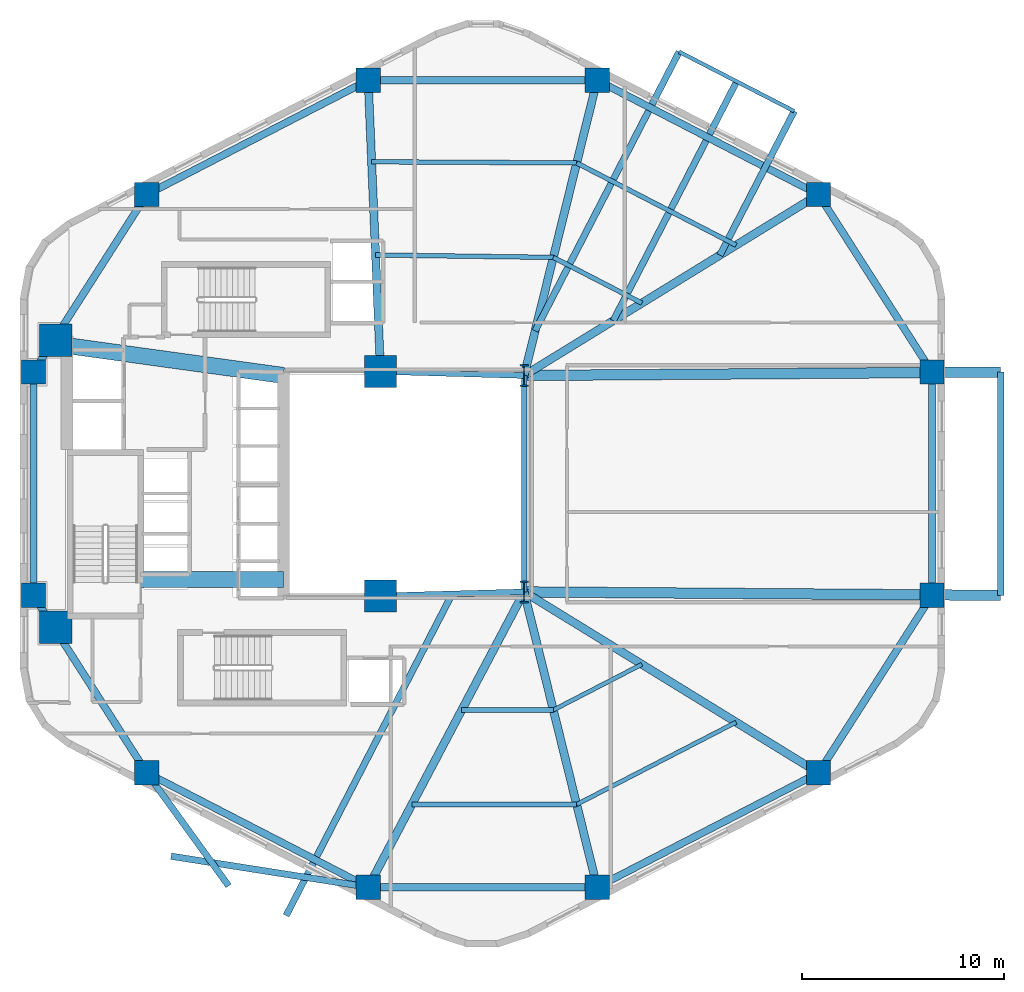
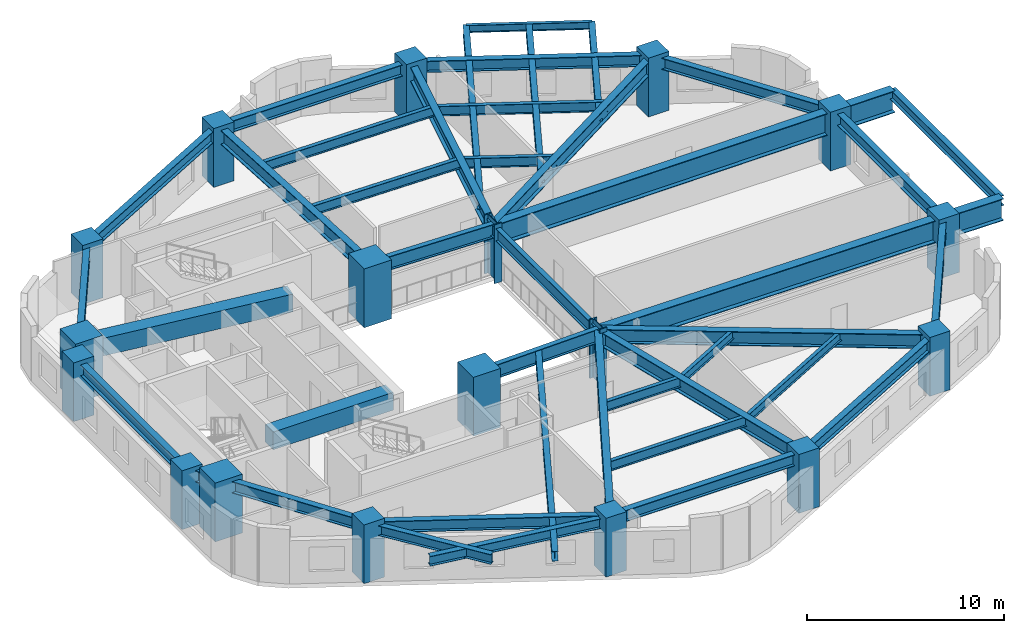
# One storey, part 1 of 6: 41 beams, 18 columns.
"""IFC4 building model written with IfcOpenShell, lengths in metres."""

import ifcopenshell
import ifcopenshell.guid

model = None  # the IFC model being written
_history = None  # IfcOwnerHistory: only IFC2X3 demands one
_inside = {}  # id of a spatial element -> (the spatial element, [elements in it])
_under = {}  # id of a project, library or spatial element -> (it, [spatial elements below it])
_declared = {}  # id of a project -> (the project, [libraries it declares])
_typed = {}  # id of a type object -> (the type object, [elements of that type])
_made_of = {}  # id of a material, layer set ... -> (it, [elements and type objects made of it])


def new_model(schema):
    """Start an empty IFC model of exactly this schema.

    Asked for "IFC4X3", IfcOpenShell would pick the latest addendum, in which some entities
    have other attributes; the version numbers below select the first issue.
    IFC2X3 requires an IfcOwnerHistory on every rooted entity: one is made here for all.
    """
    global model, _history
    if schema == "IFC4X3":
        model = ifcopenshell.file(schema_version=(4, 3, 0, 0))
    else:
        model = ifcopenshell.file(schema=schema)
    _inside.clear()
    _under.clear()
    _declared.clear()
    _typed.clear()
    _made_of.clear()
    _history = None
    if model.schema == "IFC2X3":
        org = make("IfcOrganization", Name="unknown")
        user = make(
            "IfcPersonAndOrganization",
            ThePerson=make("IfcPerson", FamilyName="unknown"),
            TheOrganization=org,
        )
        app = make(
            "IfcApplication",
            ApplicationDeveloper=org,
            Version="unknown",
            ApplicationFullName="unknown",
            ApplicationIdentifier="unknown",
        )
        _history = make(
            "IfcOwnerHistory",
            OwningUser=user,
            OwningApplication=app,
            ChangeAction="ADDED",
            CreationDate=0,
        )
    return model


def make(cls, **values):
    """One entity of the class cls with the attributes given. An attribute that is None is left unset."""
    return model.create_entity(
        cls, **{name: value for name, value in values.items() if value is not None}
    )


def rooted(cls, **values):
    """An entity with a GlobalId (a new one), such as an element, a storey or a relation."""
    return make(cls, GlobalId=ifcopenshell.guid.new(), OwnerHistory=_history, **values)


def si_unit(unit_type, name, prefix=None):
    """IfcSIUnit, for example si_unit("LENGTHUNIT", "METRE", prefix="MILLI")."""
    return make("IfcSIUnit", UnitType=unit_type, Prefix=prefix, Name=name)


def assignment(units):
    """IfcUnitAssignment: the units of a project."""
    return None if units is None else make("IfcUnitAssignment", Units=units)


def point(xyz):
    """IfcCartesianPoint."""
    return None if xyz is None else make("IfcCartesianPoint", Coordinates=xyz)


def direction(xyz):
    """IfcDirection."""
    return None if xyz is None else make("IfcDirection", DirectionRatios=xyz)


def frame(location, z_axis=None, x_axis=None):
    """IfcAxis2Placement3D, a coordinate frame: its origin and axes. An axis left out is left unset."""
    return make(
        "IfcAxis2Placement3D",
        Location=point(location),
        Axis=direction(z_axis),
        RefDirection=direction(x_axis),
    )


def frame_2d(location, x_axis=None):
    """IfcAxis2Placement2D, a coordinate frame in the plane: its origin and x axis."""
    return make(
        "IfcAxis2Placement2D", Location=point(location), RefDirection=direction(x_axis)
    )


def origin():
    """The frame at (0, 0, 0) with its axes left unset."""
    return frame((0.0, 0.0, 0.0))


def origin_2d():
    """The frame at (0, 0) in the plane with its x axis left unset."""
    return frame_2d((0.0, 0.0))


def place(relative_to, where):
    """IfcLocalPlacement: puts the frame where relative to a parent placement (None: the world)."""
    return make(
        "IfcLocalPlacement", PlacementRelTo=relative_to, RelativePlacement=where
    )


def context(
    kind, dimensions, precision=None, world=None, true_north=None, identifier=None
):
    """IfcGeometricRepresentationContext, for example the 3D "Model" context."""
    return make(
        "IfcGeometricRepresentationContext",
        ContextIdentifier=identifier,
        ContextType=kind,
        CoordinateSpaceDimension=dimensions,
        Precision=precision,
        WorldCoordinateSystem=world,
        TrueNorth=true_north,
    )


def subcontext(parent, identifier, kind, view, scale=None):
    """IfcGeometricRepresentationSubContext, for example "Body" below "Model"."""
    return make(
        "IfcGeometricRepresentationSubContext",
        ContextIdentifier=identifier,
        ContextType=kind,
        ParentContext=parent,
        TargetScale=scale,
        TargetView=view,
    )


def project(units=None, contexts=None):
    """IfcProject with its units and contexts."""
    return rooted(
        "IfcProject",
        Name="project",
        RepresentationContexts=contexts,
        UnitsInContext=assignment(units),
    )


def spatial(cls, under=None, at=None, **own):
    """A site, building, storey or space (cls), placed at a placement, below another one or the project."""
    s = rooted(cls, ObjectPlacement=at, **own)
    if under is not None:
        _under.setdefault(under.id(), (under, []))[1].append(s)
    return s


def profile(cls, at=None, kind="AREA", **sizes):
    """A parametric profile (cls). Its sizes go by their IFC names, for example OverallWidth=200.0."""
    return make(cls, ProfileType=kind, Position=at, **sizes)


def rectangle(**sizes):
    """IfcRectangleProfileDef."""
    return profile("IfcRectangleProfileDef", **sizes)


def i_section(**sizes):
    """IfcIShapeProfileDef."""
    return profile("IfcIShapeProfileDef", **sizes)


def extrude(swept, where, along, depth):
    """IfcExtrudedAreaSolid: the profile swept, set in the frame where, extruded along a direction by depth."""
    return make(
        "IfcExtrudedAreaSolid",
        SweptArea=swept,
        Position=where,
        ExtrudedDirection=direction(along),
        Depth=depth,
    )


def shape(context_of_items, identifier, shape_type, items):
    """IfcShapeRepresentation: the items that make up one representation, for example the "Body"."""
    return make(
        "IfcShapeRepresentation",
        ContextOfItems=context_of_items,
        RepresentationIdentifier=identifier,
        RepresentationType=shape_type,
        Items=items,
    )


def material(Name=None, Category=None):
    """IfcMaterial."""
    return make("IfcMaterial", Name=Name, Category=Category)


def material_profile(
    of_material, cross_section, Name=None, Category=None, Priority=None
):
    """IfcMaterialProfile: a cross section and its material."""
    return make(
        "IfcMaterialProfile",
        Name=Name,
        Material=of_material,
        Profile=cross_section,
        Priority=Priority,
        Category=Category,
    )


def profile_set(profiles, Name=None, composite=None):
    """IfcMaterialProfileSet."""
    return make(
        "IfcMaterialProfileSet",
        Name=Name,
        MaterialProfiles=profiles,
        CompositeProfile=composite,
    )


def made_of(thing, what):
    """Note that an element or type object is made of a material, layer set ...; save() writes the relation."""
    if what is not None:
        _made_of.setdefault(what.id(), (what, []))[1].append(thing)
    return thing


def type_object(cls, material=None, **own):
    """A type object (cls), such as IfcWallType, which elements share."""
    return made_of(rooted(cls, **own), material)


def element(
    cls,
    number,
    at=None,
    inside=None,
    cuts=None,
    type_object=None,
    material=None,
    context=None,
    identifier="Body",
    shape_type=None,
    held_by="IfcProductDefinitionShape",
    body=None,
    shapes=None,
    **own,
):
    """One element of the class cls, such as IfcWall. Its Tag is "e" and its number.

    at: its placement. inside: the storey or other place that contains it. cuts: it is an
    opening in that element (IfcRelVoidsElement). A single representation is given by context,
    identifier, shape_type and body (its items); several are given by shapes. held_by: the class
    of the entity that holds the representations. save() writes the other relations.
    """
    e = rooted(cls, Tag="e%d" % number, ObjectPlacement=at, **own)
    if body is not None:
        shapes = [shape(context, identifier, shape_type, body)]
    if shapes is not None:
        e.Representation = make(held_by, Representations=shapes)
    if inside is not None:
        _inside.setdefault(inside.id(), (inside, []))[1].append(e)
    if cuts is not None:
        rooted(
            "IfcRelVoidsElement", RelatingBuildingElement=cuts, RelatedOpeningElement=e
        )
    if type_object is not None:
        _typed.setdefault(type_object.id(), (type_object, []))[1].append(e)
    return made_of(e, material)


def aggregate(whole, parts):
    """IfcRelAggregates: a whole, such as a stair, and the parts it consists of."""
    return rooted("IfcRelAggregates", RelatingObject=whole, RelatedObjects=parts)


def save(model, path):
    """Write the relations noted so far, then the file.

    IfcRelAggregates (storeys below a building ...), IfcRelContainedInSpatialStructure (elements
    in a storey), IfcRelDefinesByType, IfcRelAssociatesMaterial and IfcRelDeclares: one each for
    every whole, place, type object, material and project.
    """
    for whole, parts in _under.values():
        aggregate(whole, parts)
    for where, things in _inside.values():
        rooted(
            "IfcRelContainedInSpatialStructure",
            RelatedElements=things,
            RelatingStructure=where,
        )
    for kind, things in _typed.values():
        rooted("IfcRelDefinesByType", RelatedObjects=things, RelatingType=kind)
    for what, things in _made_of.values():
        rooted("IfcRelAssociatesMaterial", RelatedObjects=things, RelatingMaterial=what)
    for by, libraries in _declared.values():
        rooted("IfcRelDeclares", RelatingContext=by, RelatedDefinitions=libraries)
    model.write(path)


model = new_model("IFC4")

# Units and contexts
model_context = context("Model", 3, precision=1e-05, world=origin(), true_north=direction((0.0, 1.0)))
body_context = subcontext(model_context, "Body", "Model", "MODEL_VIEW")
ifc_project = project(units=[si_unit("LENGTHUNIT", "METRE"), si_unit("AREAUNIT", "SQUARE_METRE"), si_unit("VOLUMEUNIT", "CUBIC_METRE"), si_unit("PLANEANGLEUNIT", "RADIAN"), si_unit("MASSUNIT", "GRAM", prefix="KILO"), si_unit("THERMODYNAMICTEMPERATUREUNIT", "KELVIN"), si_unit("POWERUNIT", "WATT")], contexts=[model_context])

# Site, building, storey
site_placement = place(None, origin())
site = spatial("IfcSite", under=ifc_project, at=site_placement, CompositionType="ELEMENT")
building_placement = place(site_placement, origin())
building = spatial("IfcBuilding", under=site, at=building_placement, Name="Skarre Station Tower", CompositionType="ELEMENT")
storey_placement = place(building_placement, frame((0.0, 0.0, 34.300048828125)))
storey = spatial("IfcBuildingStorey", under=building, at=storey_placement, Name="L08", CompositionType="ELEMENT", Elevation=34.300048828125)

# Columns
ifc_material_1 = material(Name="Concrete C60/75", Category="concrete")
ifc_material_profile_1 = material_profile(ifc_material_1, rectangle(XDim=1.199951171875, YDim=1.199951171875, at=origin_2d()), Name="Concrete C60/75")
ifc_profile_set_1 = profile_set([ifc_material_profile_1], Name="Concrete C60/75")
column_type_1 = type_object("IfcColumnType", Name="RC Structural Column RC-COL-1200X1200", PredefinedType="COLUMN", material=ifc_profile_set_1)
for number, where, z_axis, x_axis, name in (
    (1, (54.007080078125, 38.298095703125, 0.0), (0.0, 0.0, 1.0), (1.0, 0.0, 0.0), "L08 Zone 1 Perimeter Column F0C1"),
    (2, (43.06005859375, 43.947021484375, 0.0), (0.0, 0.0, 1.0), (1.0, 0.0, 0.0), "L08 Zone 1 Perimeter Column F0C2"),
    (3, (31.739990234375, 43.947021484375, 0.0), (0.0, 0.0, 1.0), (1.0, 0.0, 0.0), "L08 Zone 1 Perimeter Column F1C1"),
    (4, (20.79296875, 38.298095703125, 0.0), (0.0, 0.0, 1.0), (1.0, 0.0, 0.0), "L08 Zone 1 Perimeter Column F1C2"),
    (5, (15.18701171875, 29.52099609375, 0.0), (0.0, 0.0, 1.0), (1.0, 0.0, 0.0), "L08 Zone 1 Perimeter Column F2C1"),
    (6, (15.18701171875, 18.47900390625, 0.0), (0.0, 0.0, 1.0), (1.0, 0.0, 0.0), "L08 Zone 1 Perimeter Column F2C2"),
    (7, (20.79296875, 9.701904296875, 0.0), (0.0, 0.0, 1.0), (1.0, 0.0, 0.0), "L08 Zone 1 Perimeter Column F3C1"),
    (8, (31.739990234375, 4.052978515625, 0.0), (0.0, 0.0, 1.0), (1.0, 0.0, 0.0), "L08 Zone 1 Perimeter Column F3C2"),
    (9, (43.06005859375, 4.052978515625, 0.0), (0.0, 0.0, 1.0), (1.0, 0.0, 0.0), "L08 Zone 1 Perimeter Column F4C1"),
    (10, (54.007080078125, 9.701904296875, 0.0), (0.0, 0.0, 1.0), (1.0, 0.0, 0.0), "L08 Zone 1 Perimeter Column F4C2"),
    (11, (59.613037109375, 18.47900390625, 0.0), (0.0, 0.0, 1.0), (1.0, 0.0, 0.0), "L08 Zone 1 Perimeter Column F5C1"),
    (12, (59.613037109375, 29.52099609375, 0.0), (0.0, 0.0, 1.0), (1.0, 0.0, 0.0), "L08 Zone 1 Perimeter Column F5C2"),
):
    element("IfcColumn", number, at=place(storey_placement, frame(where, z_axis=z_axis, x_axis=x_axis)), inside=storey, type_object=column_type_1, Name=name, PredefinedType="COLUMN", context=body_context, shape_type="SweptSolid", body=[
        extrude(rectangle(XDim=1.199951171875, YDim=1.199951171875, at=origin_2d()), origin(), (0.0, 0.0, 1.0), 3.64990234375),
    ])
ifc_material_2 = material(Name="Concrete C70/85", Category="concrete")
ifc_material_profile_2 = material_profile(ifc_material_2, rectangle(XDim=1.60009765625, YDim=1.60009765625, at=origin_2d()), Name="Concrete C70/85")
ifc_profile_set_2 = profile_set([ifc_material_profile_2], Name="Concrete C70/85")
column_type_2 = type_object("IfcColumnType", Name="RC Structural Column RC-COL-1600X1600", PredefinedType="COLUMN", material=ifc_profile_set_2)
for number, where, z_axis, x_axis, name in (
    (13, (16.300048828125, 16.89990234375, 0.0), (0.0, 0.0, 1.0), (1.0, 0.0, 0.0), "L08 Core Column CC-SW"),
    (14, (16.300048828125, 31.10009765625, 0.0), (0.0, 0.0, 1.0), (1.0, 0.0, 0.0), "L08 Core Column CC-NW"),
    (15, (32.35009765625, 18.449951171875, 0.0), (0.0, 0.0, 1.0), (1.0, 0.0, 0.0), "L08 Core Column CC-SE"),
    (16, (32.35009765625, 29.550048828125, 0.0), (0.0, 0.0, 1.0), (1.0, 0.0, 0.0), "L08 Core Column CC-NE"),
):
    element("IfcColumn", number, at=place(storey_placement, frame(where, z_axis=z_axis, x_axis=x_axis)), inside=storey, type_object=column_type_2, Name=name, PredefinedType="COLUMN", context=body_context, shape_type="SweptSolid", body=[
        extrude(rectangle(XDim=1.60009765625, YDim=1.60009765625, at=origin_2d()), origin(), (0.0, 0.0, 1.0), 3.64990234375),
    ])
ifc_material_3 = material(Name="Steel ASTM A913 Grade 65", Category="steel")
ifc_material_profile_3 = material_profile(ifc_material_3, i_section(OverallWidth=0.424072265625, OverallDepth=1.092041015625, WebThickness=0.044921875, FlangeThickness=0.08203125, at=origin_2d()), Name="Steel ASTM A913 Grade 65")
ifc_profile_set_3 = profile_set([ifc_material_profile_3], Name="Steel ASTM A913 Grade 65")
column_type_3 = type_object("IfcColumnType", Name="Steel Column W40X593", PredefinedType="COLUMN", material=ifc_profile_set_3)
for number, where, z_axis, x_axis, name in (
    (17, (39.449951171875, 18.64990234375, 0.0), (0.0, 0.0, 1.0), (1.0, 0.0, 0.0), "L08 Atrium Spine Column AC-SE"),
    (18, (39.449951171875, 29.35009765625, 0.0), (0.0, 0.0, 1.0), (1.0, 0.0, 0.0), "L08 Atrium Spine Column AC-NE"),
):
    element("IfcColumn", number, at=place(storey_placement, frame(where, z_axis=z_axis, x_axis=x_axis)), inside=storey, type_object=column_type_3, Name=name, PredefinedType="COLUMN", context=body_context, shape_type="SweptSolid", body=[
        extrude(i_section(OverallWidth=0.424072265625, OverallDepth=1.092041015625, WebThickness=0.044921875, FlangeThickness=0.08203125, at=origin_2d()), origin(), (0.0, 0.0, 1.0), 3.64990234375),
    ])

# Beams
ifc_material_4 = material(Name="Steel ASTM A572 Grade 50", Category="steel")
ifc_material_profile_4 = material_profile(ifc_material_4, i_section(OverallWidth=0.52001953125, OverallDepth=1.360107421875, WebThickness=0.02587890625, FlangeThickness=0.0380859375, at=origin_2d()), Name="Steel ASTM A572 Grade 50")
ifc_profile_set_4 = profile_set([ifc_material_profile_4], Name="Steel ASTM A572 Grade 50")
beam_type_1 = type_object("IfcBeamType", Name="Built-Up Plate Transfer Girder PG1360X520", PredefinedType="USERDEFINED", material=ifc_profile_set_4)
for number, where, z_axis, x_axis, name in (
    (19, (39.449951171875, 18.64990234375, 2.7099609375), (0.999973699239, -0.007252643031, 0.0), (0.007252643031, 0.999973699239, 0.0), "L08 SB-1 Exoskeleton Tier-0 Transfer Girder S1"),
    (20, (39.449951171875, 29.35009765625, 2.7099609375), (0.999973699239, 0.007252643031, 0.0), (-0.007252643031, 0.999973699239, 0.0), "L08 SB-1 Exoskeleton Tier-0 Transfer Girder S2"),
):
    element("IfcBeam", number, at=place(storey_placement, frame(where, z_axis=z_axis, x_axis=x_axis)), inside=storey, type_object=beam_type_1, Name=name, ObjectType="TRANSFER_GIRDER", PredefinedType="USERDEFINED", context=body_context, shape_type="SweptSolid", body=[
        extrude(i_section(OverallWidth=0.52001953125, OverallDepth=1.360107421875, WebThickness=0.02587890625, FlangeThickness=0.0380859375, at=origin_2d()), origin(), (0.0, 0.0, 1.0), 23.563720703125),
    ])
ifc_material_profile_5 = material_profile(ifc_material_2, rectangle(XDim=0.800048828125, YDim=1.10009765625, at=origin_2d()), Name="Concrete C70/85")
ifc_profile_set_5 = profile_set([ifc_material_profile_5], Name="Concrete C70/85")
beam_type_2 = type_object("IfcBeamType", Name="RC Core Coupling Lintel 800x1100", PredefinedType="LINTEL", material=ifc_profile_set_5)
beam_1_placement = place(storey_placement, frame((20.489990234375, 19.260009765625, 2.83984375), z_axis=(1.0, 0.0, 0.0), x_axis=(0.0, 1.0, 0.0)))
element("IfcBeam", 21, at=beam_1_placement, inside=storey, type_object=beam_type_2, Name="L08 South Core Coupling Lintel", PredefinedType="LINTEL", context=body_context, shape_type="SweptSolid", body=[
    extrude(rectangle(XDim=0.800048828125, YDim=1.10009765625, at=origin_2d()), origin(), (0.0, 0.0, 1.0), 7.06005859375),
])
beam_2_placement = place(storey_placement, frame((17.050048828125, 30.800048828125, 2.83984375), z_axis=(0.990599723633, -0.136792498109, 0.0), x_axis=(0.136792498109, 0.990599723633, 0.0)))
element("IfcBeam", 22, at=beam_2_placement, inside=storey, type_object=beam_type_2, Name="L08 North Core Coupling Lintel", PredefinedType="LINTEL", context=body_context, shape_type="SweptSolid", body=[
    extrude(rectangle(XDim=0.800048828125, YDim=1.10009765625, at=origin_2d()), origin(), (0.0, 0.0, 1.0), 10.599609375),
])
ifc_material_5 = material(Name="Steel ASTM A992 Grade 50", Category="steel")
ifc_material_profile_6 = material_profile(ifc_material_5, i_section(OverallWidth=0.323974609375, OverallDepth=0.611083984375, WebThickness=0.012939453125, FlangeThickness=0.01904296875, at=origin_2d()), Name="Steel ASTM A992 Grade 50")
ifc_profile_set_6 = profile_set([ifc_material_profile_6], Name="Steel ASTM A992 Grade 50")
beam_type_3 = type_object("IfcBeamType", Name="Steel Beam W24X104", PredefinedType="BEAM", material=ifc_profile_set_6)
beam_3_placement = place(storey_placement, frame((43.85498046875, 32.05810546875, 2.9990234375), z_axis=(0.458658805001, 0.888612458046, 0.0), x_axis=(-0.888612458046, 0.458658805001, 0.0)))
element("IfcBeam", 23, at=beam_3_placement, inside=storey, type_object=beam_type_3, Name="L08 TB-L09-F0 Center Outrigger Beam", PredefinedType="BEAM", context=body_context, shape_type="SweptSolid", body=[
    extrude(i_section(OverallWidth=0.323974609375, OverallDepth=0.611083984375, WebThickness=0.012939453125, FlangeThickness=0.01904296875, at=origin_2d()), origin(), (0.0, 0.0, 1.0), 13.310546875),
])
beam_4_placement = place(storey_placement, frame((49.1298828125, 35.300048828125, 2.9990234375), z_axis=(0.458673197801, 0.888605029031, 0.0), x_axis=(-0.888605029031, 0.458673197801, 0.0)))
element("IfcBeam", 24, at=beam_4_placement, inside=storey, type_object=beam_type_3, Name="L08 TB-L09-F0 Outrigger Beam 1", PredefinedType="BEAM", context=body_context, shape_type="SweptSolid", body=[
    extrude(i_section(OverallWidth=0.323974609375, OverallDepth=0.611083984375, WebThickness=0.012939453125, FlangeThickness=0.01904296875, at=origin_2d()), origin(), (0.0, 0.0, 1.0), 8.01025390625),
])
beam_5_placement = place(storey_placement, frame((39.99609375, 31.55810546875, 2.9990234375), z_axis=(0.45863851318, 0.88862293141, 0.0), x_axis=(-0.88862293141, 0.45863851318, 0.0)))
element("IfcBeam", 25, at=beam_5_placement, inside=storey, type_object=beam_type_3, Name="L08 TB-L09-F0 Outrigger Beam 2", PredefinedType="BEAM", context=body_context, shape_type="SweptSolid", body=[
    extrude(i_section(OverallWidth=0.323974609375, OverallDepth=0.611083984375, WebThickness=0.012939453125, FlangeThickness=0.01904296875, at=origin_2d()), origin(), (0.0, 0.0, 1.0), 15.52392578125),
])
beam_6_placement = place(storey_placement, frame((20.79296875, 9.701904296875, 2.9990234375), z_axis=(0.586645094121, -0.809844141513, 0.0), x_axis=(0.809844141513, 0.586645094121, 0.0)))
element("IfcBeam", 26, at=beam_6_placement, inside=storey, type_object=beam_type_3, Name="L08 TB-L09-F3 Center Outrigger Beam", PredefinedType="BEAM", context=body_context, shape_type="SweptSolid", body=[
    extrude(i_section(OverallWidth=0.323974609375, OverallDepth=0.611083984375, WebThickness=0.012939453125, FlangeThickness=0.01904296875, at=origin_2d()), origin(), (0.0, 0.0, 1.0), 6.898681640625),
])
beam_7_placement = place(storey_placement, frame((31.739990234375, 4.052978515625, 2.9990234375), z_axis=(-0.987910236497, 0.155026980311, 0.0), x_axis=(-0.155026980311, -0.987910236497, 0.0)))
element("IfcBeam", 27, at=beam_7_placement, inside=storey, type_object=beam_type_3, Name="L08 TB-L09-F3 Outrigger Beam 1", PredefinedType="BEAM", context=body_context, shape_type="SweptSolid", body=[
    extrude(i_section(OverallWidth=0.323974609375, OverallDepth=0.611083984375, WebThickness=0.012939453125, FlangeThickness=0.01904296875, at=origin_2d()), origin(), (0.0, 0.0, 1.0), 9.863037109375),
])
beam_8_placement = place(storey_placement, frame((35.89208984375, 18.550048828125, 2.9990234375), z_axis=(-0.458641529795, -0.88862137446, 0.0), x_axis=(0.88862137446, -0.458641529795, 0.0)))
element("IfcBeam", 28, at=beam_8_placement, inside=storey, type_object=beam_type_3, Name="L08 TB-L09-F3 Outrigger Beam 2", PredefinedType="BEAM", context=body_context, shape_type="SweptSolid", body=[
    extrude(i_section(OverallWidth=0.323974609375, OverallDepth=0.611083984375, WebThickness=0.012939453125, FlangeThickness=0.01904296875, at=origin_2d()), origin(), (0.0, 0.0, 1.0), 17.896240234375),
])
ifc_material_profile_7 = material_profile(ifc_material_5, i_section(OverallWidth=0.26806640625, OverallDepth=0.77001953125, WebThickness=0.01611328125, FlangeThickness=0.02490234375, at=origin_2d()), Name="Steel ASTM A992 Grade 50")
ifc_profile_set_7 = profile_set([ifc_material_profile_7], Name="Steel ASTM A992 Grade 50")
beam_type_4 = type_object("IfcBeamType", Name="Steel Beam W30X132", PredefinedType="BEAM", material=ifc_profile_set_7)
beam_9_placement = place(storey_placement, frame((39.449951171875, 18.64990234375, 3.0048828125), z_axis=(0.0, 1.0, 0.0), x_axis=(-1.0, 0.0, 0.0)))
element("IfcBeam", 29, at=beam_9_placement, inside=storey, type_object=beam_type_4, Name="L08 Atrium East Edge Girder", PredefinedType="BEAM", context=body_context, shape_type="SweptSolid", body=[
    extrude(i_section(OverallWidth=0.26806640625, OverallDepth=0.77001953125, WebThickness=0.01611328125, FlangeThickness=0.02490234375, at=origin_2d()), origin(), (0.0, 0.0, 1.0), 10.7001953125),
])
ifc_material_profile_8 = material_profile(ifc_material_5, i_section(OverallWidth=0.2919921875, OverallDepth=0.85888671875, WebThickness=0.01708984375, FlangeThickness=0.031005859375, at=origin_2d()), Name="Steel ASTM A992 Grade 50")
ifc_profile_set_8 = profile_set([ifc_material_profile_8], Name="Steel ASTM A992 Grade 50")
beam_type_5 = type_object("IfcBeamType", Name="Steel Beam W33X169", PredefinedType="BEAM", material=ifc_profile_set_8)
for number, where, z_axis, x_axis, name in (
    (30, (32.35009765625, 18.449951171875, 2.9609375), (0.999603666405, 0.028151556095, 0.0), (-0.028151556095, 0.999603666405, 0.0), "L08 Atrium South Edge Girder"),
    (31, (32.35009765625, 29.550048828125, 2.9609375), (0.999603666405, -0.028151556095, 0.0), (0.028151556095, 0.999603666405, 0.0), "L08 Atrium North Edge Girder"),
):
    element("IfcBeam", number, at=place(storey_placement, frame(where, z_axis=z_axis, x_axis=x_axis)), inside=storey, type_object=beam_type_5, Name=name, PredefinedType="BEAM", context=body_context, shape_type="SweptSolid", body=[
        extrude(i_section(OverallWidth=0.2919921875, OverallDepth=0.85888671875, WebThickness=0.01708984375, FlangeThickness=0.031005859375, at=origin_2d()), origin(), (0.0, 0.0, 1.0), 7.102783203125),
    ])
ifc_material_profile_9 = material_profile(ifc_material_5, i_section(OverallWidth=0.40087890625, OverallDepth=0.876953125, WebThickness=0.02197265625, FlangeThickness=0.0400390625, at=origin_2d()), Name="Steel ASTM A992 Grade 50")
ifc_profile_set_9 = profile_set([ifc_material_profile_9], Name="Steel ASTM A992 Grade 50")
beam_type_6 = type_object("IfcBeamType", Name="Steel Beam W33X263", PredefinedType="BEAM", material=ifc_profile_set_9)
beam_10_placement = place(storey_placement, frame((39.449951171875, 29.35009765625, 2.951904296875), z_axis=(0.851925565957, 0.523662897358, 0.0), x_axis=(-0.523662897358, 0.851925565957, 0.0)))
element("IfcBeam", 32, at=beam_10_placement, inside=storey, type_object=beam_type_6, Name="L08 Radial Floor Girder F0C1", PredefinedType="BEAM", context=body_context, shape_type="SweptSolid", body=[
    extrude(i_section(OverallWidth=0.40087890625, OverallDepth=0.876953125, WebThickness=0.02197265625, FlangeThickness=0.0400390625, at=origin_2d()), origin(), (0.0, 0.0, 1.0), 17.08740234375),
])
beam_11_placement = place(storey_placement, frame((39.449951171875, 29.35009765625, 2.951904296875), z_axis=(0.240086037639, 0.9707516132, 0.0), x_axis=(-0.9707516132, 0.240086037639, 0.0)))
element("IfcBeam", 33, at=beam_11_placement, inside=storey, type_object=beam_type_6, Name="L08 Radial Floor Girder F0C2", PredefinedType="BEAM", context=body_context, shape_type="SweptSolid", body=[
    extrude(i_section(OverallWidth=0.40087890625, OverallDepth=0.876953125, WebThickness=0.02197265625, FlangeThickness=0.0400390625, at=origin_2d()), origin(), (0.0, 0.0, 1.0), 15.03662109375),
])
beam_12_placement = place(storey_placement, frame((32.35009765625, 29.550048828125, 2.951904296875), z_axis=(-0.042339479433, 0.999103282189, 0.0), x_axis=(-0.999103282189, -0.042339479433, 0.0)))
element("IfcBeam", 34, at=beam_12_placement, inside=storey, type_object=beam_type_6, Name="L08 Radial Floor Girder F1C1", PredefinedType="BEAM", context=body_context, shape_type="SweptSolid", body=[
    extrude(i_section(OverallWidth=0.40087890625, OverallDepth=0.876953125, WebThickness=0.02197265625, FlangeThickness=0.0400390625, at=origin_2d()), origin(), (0.0, 0.0, 1.0), 14.409912109375),
])
beam_13_placement = place(storey_placement, frame((39.449951171875, 18.64990234375, 2.951904296875), z_axis=(-0.467044240884, -0.884233949279, 0.0), x_axis=(0.884233949279, -0.467044240884, 0.0)))
element("IfcBeam", 35, at=beam_13_placement, inside=storey, type_object=beam_type_6, Name="L08 Radial Floor Girder F3C2", PredefinedType="BEAM", context=body_context, shape_type="SweptSolid", body=[
    extrude(i_section(OverallWidth=0.40087890625, OverallDepth=0.876953125, WebThickness=0.02197265625, FlangeThickness=0.0400390625, at=origin_2d()), origin(), (0.0, 0.0, 1.0), 16.508056640625),
])
beam_14_placement = place(storey_placement, frame((39.449951171875, 18.64990234375, 2.951904296875), z_axis=(0.240086037639, -0.9707516132, 0.0), x_axis=(0.9707516132, 0.240086037639, 0.0)))
element("IfcBeam", 36, at=beam_14_placement, inside=storey, type_object=beam_type_6, Name="L08 Radial Floor Girder F4C1", PredefinedType="BEAM", context=body_context, shape_type="SweptSolid", body=[
    extrude(i_section(OverallWidth=0.40087890625, OverallDepth=0.876953125, WebThickness=0.02197265625, FlangeThickness=0.0400390625, at=origin_2d()), origin(), (0.0, 0.0, 1.0), 15.03662109375),
])
beam_15_placement = place(storey_placement, frame((39.449951171875, 18.64990234375, 2.951904296875), z_axis=(0.851925565957, -0.523662897358, 0.0), x_axis=(0.523662897358, 0.851925565957, 0.0)))
element("IfcBeam", 37, at=beam_15_placement, inside=storey, type_object=beam_type_6, Name="L08 Radial Floor Girder F4C2", PredefinedType="BEAM", context=body_context, shape_type="SweptSolid", body=[
    extrude(i_section(OverallWidth=0.40087890625, OverallDepth=0.876953125, WebThickness=0.02197265625, FlangeThickness=0.0400390625, at=origin_2d()), origin(), (0.0, 0.0, 1.0), 17.08740234375),
])
ifc_material_profile_10 = material_profile(ifc_material_5, i_section(OverallWidth=0.19091796875, OverallDepth=0.45703125, WebThickness=0.009033203125, FlangeThickness=0.013916015625, at=origin_2d()), Name="Steel ASTM A992 Grade 50")
ifc_profile_set_10 = profile_set([ifc_material_profile_10], Name="Steel ASTM A992 Grade 50")
beam_type_7 = type_object("IfcBeamType", Name="Steel Joist W18X50", PredefinedType="JOIST", material=ifc_profile_set_10)
beam_16_placement = place(storey_placement, frame((52.803955078125, 42.41796875, 3.076904296875), z_axis=(-0.888663779873, 0.458559359672, 0.0), x_axis=(-0.458559359672, -0.888663779873, 0.0)))
element("IfcBeam", 38, at=beam_16_placement, inside=storey, type_object=beam_type_7, Name="L08 TB-L09-F0 Rim Beam", PredefinedType="JOIST", context=body_context, shape_type="SweptSolid", body=[
    extrude(i_section(OverallWidth=0.19091796875, OverallDepth=0.45703125, WebThickness=0.009033203125, FlangeThickness=0.013916015625, at=origin_2d()), origin(), (0.0, 0.0, 1.0), 6.400634765625),
])
ifc_material_profile_11 = material_profile(ifc_material_5, i_section(OverallWidth=0.208984375, OverallDepth=0.532958984375, WebThickness=0.010009765625, FlangeThickness=0.01611328125, at=origin_2d()), Name="Steel ASTM A992 Grade 50")
ifc_profile_set_11 = profile_set([ifc_material_profile_11], Name="Steel ASTM A992 Grade 50")
beam_type_8 = type_object("IfcBeamType", Name="Steel Joist W21X62", PredefinedType="JOIST", material=ifc_profile_set_11)
beam_17_placement = place(storey_placement, frame((40.89404296875, 12.81103515625, 3.123046875), z_axis=(0.888626519249, 0.458631561591, 0.0), x_axis=(-0.458631561591, 0.888626519249, 0.0)))
element("IfcBeam", 39, at=beam_17_placement, inside=storey, type_object=beam_type_8, Name="L08 Auxiliary Composite Joist 7", PredefinedType="JOIST", context=body_context, shape_type="SweptSolid", body=[
    extrude(i_section(OverallWidth=0.208984375, OverallDepth=0.532958984375, WebThickness=0.010009765625, FlangeThickness=0.01611328125, at=origin_2d()), origin(), (0.0, 0.0, 1.0), 4.927734375),
])
beam_18_placement = place(storey_placement, frame((42.049072265625, 8.139892578125, 3.123046875), z_axis=(0.88866227096, 0.458562283853, 0.0), x_axis=(-0.458562283853, 0.88866227096, 0.0)))
element("IfcBeam", 40, at=beam_18_placement, inside=storey, type_object=beam_type_8, Name="L08 Auxiliary Composite Joist 8", PredefinedType="JOIST", context=body_context, shape_type="SweptSolid", body=[
    extrude(i_section(OverallWidth=0.208984375, OverallDepth=0.532958984375, WebThickness=0.010009765625, FlangeThickness=0.01611328125, at=origin_2d()), origin(), (0.0, 0.0, 1.0), 8.869384765625),
])
ifc_material_profile_12 = material_profile(ifc_material_5, i_section(OverallWidth=0.22802734375, OverallDepth=0.60791015625, WebThickness=0.010986328125, FlangeThickness=0.01708984375, at=origin_2d()), Name="Steel ASTM A992 Grade 50")
ifc_profile_set_12 = profile_set([ifc_material_profile_12], Name="Steel ASTM A992 Grade 50")
beam_type_9 = type_object("IfcBeamType", Name="Steel Joist W24X76", PredefinedType="JOIST", material=ifc_profile_set_12)
beam_19_placement = place(storey_placement, frame((45.27294921875, 32.928955078125, 3.0859375), z_axis=(-0.888626519249, 0.458631561591, 0.0), x_axis=(-0.458631561591, -0.888626519249, 0.0)))
element("IfcBeam", 41, at=beam_19_placement, inside=storey, type_object=beam_type_9, Name="L08 Secondary Floor Joist 1", PredefinedType="JOIST", context=body_context, shape_type="SweptSolid", body=[
    extrude(i_section(OverallWidth=0.22802734375, OverallDepth=0.60791015625, WebThickness=0.010986328125, FlangeThickness=0.01708984375, at=origin_2d()), origin(), (0.0, 0.0, 1.0), 4.927734375),
])
beam_20_placement = place(storey_placement, frame((49.930908203125, 35.79296875, 3.0859375), z_axis=(-0.88866227096, 0.458562283853, 0.0), x_axis=(-0.458562283853, -0.88866227096, 0.0)))
element("IfcBeam", 42, at=beam_20_placement, inside=storey, type_object=beam_type_9, Name="L08 Secondary Floor Joist 2", PredefinedType="JOIST", context=body_context, shape_type="SweptSolid", body=[
    extrude(i_section(OverallWidth=0.22802734375, OverallDepth=0.60791015625, WebThickness=0.010986328125, FlangeThickness=0.01708984375, at=origin_2d()), origin(), (0.0, 0.0, 1.0), 8.869384765625),
])
beam_21_placement = place(storey_placement, frame((40.89404296875, 35.18896484375, 3.0859375), z_axis=(-0.999906603441, 0.013666908792, 0.0), x_axis=(-0.013666908792, -0.999906603441, 0.0)))
element("IfcBeam", 43, at=beam_21_placement, inside=storey, type_object=beam_type_9, Name="L08 Secondary Floor Joist 3", PredefinedType="JOIST", context=body_context, shape_type="SweptSolid", body=[
    extrude(i_section(OverallWidth=0.22802734375, OverallDepth=0.60791015625, WebThickness=0.010986328125, FlangeThickness=0.01708984375, at=origin_2d()), origin(), (0.0, 0.0, 1.0), 8.788818359375),
])
beam_22_placement = place(storey_placement, frame((42.049072265625, 39.860107421875, 3.0859375), z_axis=(-0.999984794845, 0.005514533498, 0.0), x_axis=(-0.005514533498, -0.999984794845, 0.0)))
element("IfcBeam", 44, at=beam_22_placement, inside=storey, type_object=beam_type_9, Name="L08 Secondary Floor Joist 4", PredefinedType="JOIST", context=body_context, shape_type="SweptSolid", body=[
    extrude(i_section(OverallWidth=0.22802734375, OverallDepth=0.60791015625, WebThickness=0.010986328125, FlangeThickness=0.01708984375, at=origin_2d()), origin(), (0.0, 0.0, 1.0), 10.138427734375),
])
beam_23_placement = place(storey_placement, frame((36.365966796875, 12.81103515625, 3.0859375), z_axis=(1.0, 0.0, 0.0), x_axis=(0.0, 1.0, 0.0)))
element("IfcBeam", 45, at=beam_23_placement, inside=storey, type_object=beam_type_9, Name="L08 Secondary Floor Joist 5", PredefinedType="JOIST", context=body_context, shape_type="SweptSolid", body=[
    extrude(i_section(OverallWidth=0.22802734375, OverallDepth=0.60791015625, WebThickness=0.010986328125, FlangeThickness=0.01708984375, at=origin_2d()), origin(), (0.0, 0.0, 1.0), 4.528076171875),
])
beam_24_placement = place(storey_placement, frame((33.89892578125, 8.139892578125, 3.0859375), z_axis=(1.0, 0.0, 0.0), x_axis=(0.0, 1.0, 0.0)))
element("IfcBeam", 46, at=beam_24_placement, inside=storey, type_object=beam_type_9, Name="L08 Secondary Floor Joist 6", PredefinedType="JOIST", context=body_context, shape_type="SweptSolid", body=[
    extrude(i_section(OverallWidth=0.22802734375, OverallDepth=0.60791015625, WebThickness=0.010986328125, FlangeThickness=0.01708984375, at=origin_2d()), origin(), (0.0, 0.0, 1.0), 8.150146484375),
])
ifc_material_profile_13 = material_profile(ifc_material_5, i_section(OverallWidth=0.327880859375, OverallDepth=0.6279296875, WebThickness=0.01708984375, FlangeThickness=0.028076171875, at=origin_2d()), Name="Steel ASTM A992 Grade 50")
ifc_profile_set_13 = profile_set([ifc_material_profile_13], Name="Steel ASTM A992 Grade 50")
beam_type_10 = type_object("IfcBeamType", Name="Steel Spandrel W24X146", PredefinedType="SPANDREL", material=ifc_profile_set_13)
beam_25_placement = place(storey_placement, frame((63.012939453125, 18.47900390625, 3.075927734375), z_axis=(0.0, 1.0, 0.0), x_axis=(-1.0, 0.0, 0.0)))
element("IfcBeam", 47, at=beam_25_placement, inside=storey, type_object=beam_type_10, Name="L08 SB-1 Exoskeleton Tier-0 Header Beam", PredefinedType="SPANDREL", context=body_context, shape_type="SweptSolid", body=[
    extrude(i_section(OverallWidth=0.327880859375, OverallDepth=0.6279296875, WebThickness=0.01708984375, FlangeThickness=0.028076171875, at=origin_2d()), origin(), (0.0, 0.0, 1.0), 11.0419921875),
])
ifc_material_profile_14 = material_profile(ifc_material_5, i_section(OverallWidth=0.35791015625, OverallDepth=0.7060546875, WebThickness=0.01806640625, FlangeThickness=0.030029296875, at=origin_2d()), Name="Steel ASTM A992 Grade 50")
ifc_profile_set_14 = profile_set([ifc_material_profile_14], Name="Steel ASTM A992 Grade 50")
beam_type_11 = type_object("IfcBeamType", Name="Steel Spandrel W27X178", PredefinedType="SPANDREL", material=ifc_profile_set_14)
beam_26_placement = place(storey_placement, frame((54.007080078125, 38.298095703125, 3.036865234375), z_axis=(-0.888658695823, 0.458569212158, 0.0), x_axis=(-0.458569212158, -0.888658695823, 0.0)))
element("IfcBeam", 48, at=beam_26_placement, inside=storey, type_object=beam_type_11, Name="L08 Facet Spandrel Beam 1", PredefinedType="SPANDREL", context=body_context, shape_type="SweptSolid", body=[
    extrude(i_section(OverallWidth=0.35791015625, OverallDepth=0.7060546875, WebThickness=0.01806640625, FlangeThickness=0.030029296875, at=origin_2d()), origin(), (0.0, 0.0, 1.0), 12.318603515625),
])
beam_27_placement = place(storey_placement, frame((43.06005859375, 43.947021484375, 3.036865234375), z_axis=(-1.0, 0.0, 0.0), x_axis=(0.0, -1.0, 0.0)))
element("IfcBeam", 49, at=beam_27_placement, inside=storey, type_object=beam_type_11, Name="L08 Facet Spandrel Beam 2", PredefinedType="SPANDREL", context=body_context, shape_type="SweptSolid", body=[
    extrude(i_section(OverallWidth=0.35791015625, OverallDepth=0.7060546875, WebThickness=0.01806640625, FlangeThickness=0.030029296875, at=origin_2d()), origin(), (0.0, 0.0, 1.0), 11.320068359375),
])
beam_28_placement = place(storey_placement, frame((31.739990234375, 43.947021484375, 3.036865234375), z_axis=(-0.888658695823, -0.458569212158, 0.0), x_axis=(0.458569212158, -0.888658695823, 0.0)))
element("IfcBeam", 50, at=beam_28_placement, inside=storey, type_object=beam_type_11, Name="L08 Facet Spandrel Beam 3", PredefinedType="SPANDREL", context=body_context, shape_type="SweptSolid", body=[
    extrude(i_section(OverallWidth=0.35791015625, OverallDepth=0.7060546875, WebThickness=0.01806640625, FlangeThickness=0.030029296875, at=origin_2d()), origin(), (0.0, 0.0, 1.0), 12.318603515625),
])
beam_29_placement = place(storey_placement, frame((20.79296875, 38.298095703125, 3.036865234375), z_axis=(-0.538277829225, -0.842767452246, 0.0), x_axis=(0.842767452246, -0.538277829225, 0.0)))
element("IfcBeam", 51, at=beam_29_placement, inside=storey, type_object=beam_type_11, Name="L08 Facet Spandrel Beam 4", PredefinedType="SPANDREL", context=body_context, shape_type="SweptSolid", body=[
    extrude(i_section(OverallWidth=0.35791015625, OverallDepth=0.7060546875, WebThickness=0.01806640625, FlangeThickness=0.030029296875, at=origin_2d()), origin(), (0.0, 0.0, 1.0), 10.41455078125),
])
beam_30_placement = place(storey_placement, frame((15.18701171875, 29.52099609375, 3.036865234375), z_axis=(0.0, -1.0, 0.0), x_axis=(1.0, 0.0, 0.0)))
element("IfcBeam", 52, at=beam_30_placement, inside=storey, type_object=beam_type_11, Name="L08 Facet Spandrel Beam 5", PredefinedType="SPANDREL", context=body_context, shape_type="SweptSolid", body=[
    extrude(i_section(OverallWidth=0.35791015625, OverallDepth=0.7060546875, WebThickness=0.01806640625, FlangeThickness=0.030029296875, at=origin_2d()), origin(), (0.0, 0.0, 1.0), 11.0419921875),
])
beam_31_placement = place(storey_placement, frame((15.18701171875, 18.47900390625, 3.036865234375), z_axis=(0.538277829225, -0.842767452246, 0.0), x_axis=(0.842767452246, 0.538277829225, 0.0)))
element("IfcBeam", 53, at=beam_31_placement, inside=storey, type_object=beam_type_11, Name="L08 Facet Spandrel Beam 6", PredefinedType="SPANDREL", context=body_context, shape_type="SweptSolid", body=[
    extrude(i_section(OverallWidth=0.35791015625, OverallDepth=0.7060546875, WebThickness=0.01806640625, FlangeThickness=0.030029296875, at=origin_2d()), origin(), (0.0, 0.0, 1.0), 10.41455078125),
])
beam_32_placement = place(storey_placement, frame((20.79296875, 9.701904296875, 3.036865234375), z_axis=(0.888658695823, -0.458569212158, 0.0), x_axis=(0.458569212158, 0.888658695823, 0.0)))
element("IfcBeam", 54, at=beam_32_placement, inside=storey, type_object=beam_type_11, Name="L08 Facet Spandrel Beam 7", PredefinedType="SPANDREL", context=body_context, shape_type="SweptSolid", body=[
    extrude(i_section(OverallWidth=0.35791015625, OverallDepth=0.7060546875, WebThickness=0.01806640625, FlangeThickness=0.030029296875, at=origin_2d()), origin(), (0.0, 0.0, 1.0), 12.318603515625),
])
beam_33_placement = place(storey_placement, frame((31.739990234375, 4.052978515625, 3.036865234375), z_axis=(1.0, 0.0, 0.0), x_axis=(0.0, 1.0, 0.0)))
element("IfcBeam", 55, at=beam_33_placement, inside=storey, type_object=beam_type_11, Name="L08 Facet Spandrel Beam 8", PredefinedType="SPANDREL", context=body_context, shape_type="SweptSolid", body=[
    extrude(i_section(OverallWidth=0.35791015625, OverallDepth=0.7060546875, WebThickness=0.01806640625, FlangeThickness=0.030029296875, at=origin_2d()), origin(), (0.0, 0.0, 1.0), 11.320068359375),
])
beam_34_placement = place(storey_placement, frame((43.06005859375, 4.052978515625, 3.036865234375), z_axis=(0.888658695823, 0.458569212158, 0.0), x_axis=(-0.458569212158, 0.888658695823, 0.0)))
element("IfcBeam", 56, at=beam_34_placement, inside=storey, type_object=beam_type_11, Name="L08 Facet Spandrel Beam 9", PredefinedType="SPANDREL", context=body_context, shape_type="SweptSolid", body=[
    extrude(i_section(OverallWidth=0.35791015625, OverallDepth=0.7060546875, WebThickness=0.01806640625, FlangeThickness=0.030029296875, at=origin_2d()), origin(), (0.0, 0.0, 1.0), 12.318603515625),
])
beam_35_placement = place(storey_placement, frame((54.007080078125, 9.701904296875, 3.036865234375), z_axis=(0.538277829225, 0.842767452246, 0.0), x_axis=(-0.842767452246, 0.538277829225, 0.0)))
element("IfcBeam", 57, at=beam_35_placement, inside=storey, type_object=beam_type_11, Name="L08 Facet Spandrel Beam 10", PredefinedType="SPANDREL", context=body_context, shape_type="SweptSolid", body=[
    extrude(i_section(OverallWidth=0.35791015625, OverallDepth=0.7060546875, WebThickness=0.01806640625, FlangeThickness=0.030029296875, at=origin_2d()), origin(), (0.0, 0.0, 1.0), 10.41455078125),
])
beam_36_placement = place(storey_placement, frame((59.613037109375, 18.47900390625, 3.036865234375), z_axis=(0.0, 1.0, 0.0), x_axis=(-1.0, 0.0, 0.0)))
element("IfcBeam", 58, at=beam_36_placement, inside=storey, type_object=beam_type_11, Name="L08 Facet Spandrel Beam 11", PredefinedType="SPANDREL", context=body_context, shape_type="SweptSolid", body=[
    extrude(i_section(OverallWidth=0.35791015625, OverallDepth=0.7060546875, WebThickness=0.01806640625, FlangeThickness=0.030029296875, at=origin_2d()), origin(), (0.0, 0.0, 1.0), 11.0419921875),
])
beam_37_placement = place(storey_placement, frame((59.613037109375, 29.52099609375, 3.036865234375), z_axis=(-0.538277829225, 0.842767452246, 0.0), x_axis=(-0.842767452246, -0.538277829225, 0.0)))
element("IfcBeam", 59, at=beam_37_placement, inside=storey, type_object=beam_type_11, Name="L08 Facet Spandrel Beam 12", PredefinedType="SPANDREL", context=body_context, shape_type="SweptSolid", body=[
    extrude(i_section(OverallWidth=0.35791015625, OverallDepth=0.7060546875, WebThickness=0.01806640625, FlangeThickness=0.030029296875, at=origin_2d()), origin(), (0.0, 0.0, 1.0), 10.41455078125),
])

save(model, "model.ifc")
